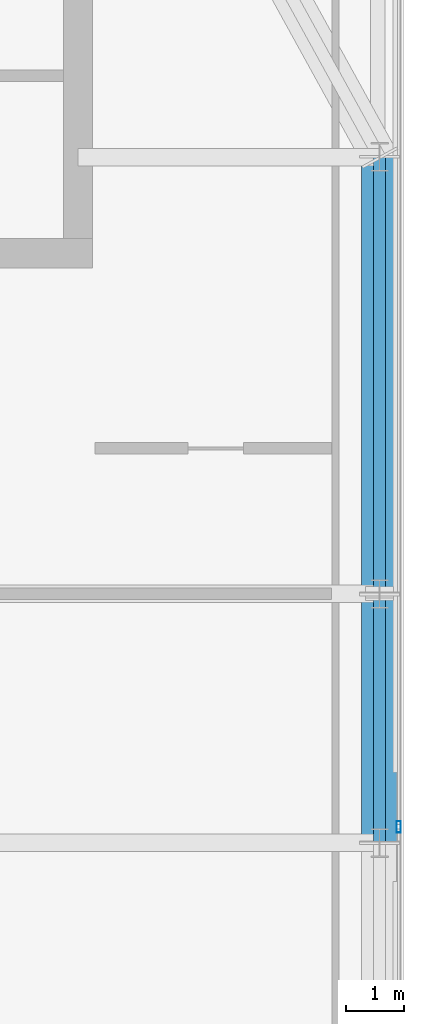
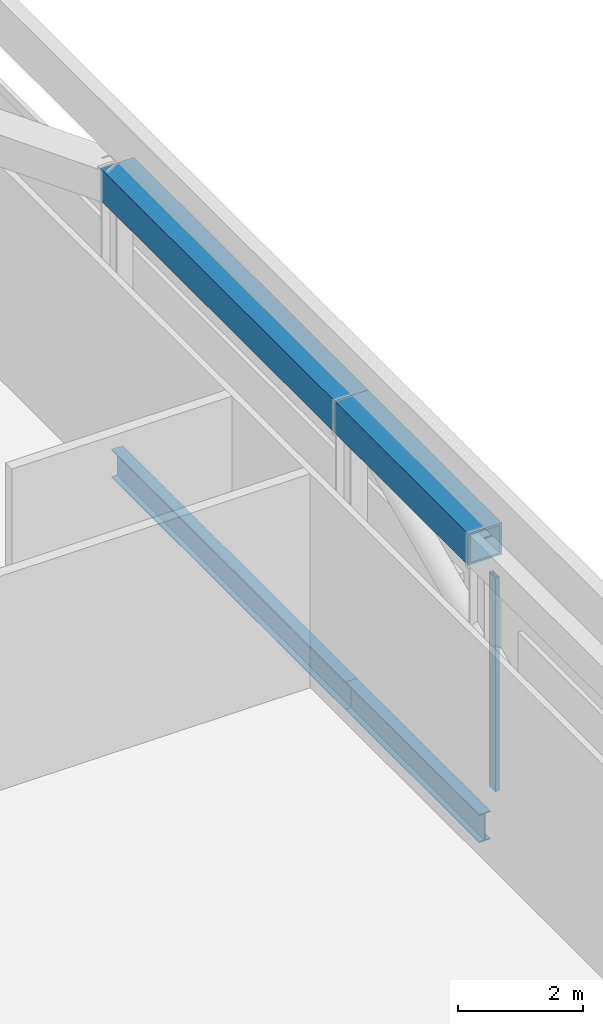
# One storey, part 14 of 24: 4 beams, 1 member, 1 element without a shape of its own.
"""IFC4 building model written with IfcOpenShell, lengths in metres."""

from ifc_helpers import new_model, si_unit, direction, frame, origin, origin_2d, place, context, subcontext, project, spatial, hollow_rectangle, i_section, extrude, material, material_profile, profile_set, type_object, element, aggregate, save


model = new_model("IFC4")

# Units and contexts
model_context = context("Model", 3, precision=1e-05, world=origin(), true_north=direction((0.0, 1.0)))
body_context = subcontext(model_context, "Body", "Model", "MODEL_VIEW")
ifc_project = project(units=[si_unit("LENGTHUNIT", "METRE"), si_unit("AREAUNIT", "SQUARE_METRE"), si_unit("VOLUMEUNIT", "CUBIC_METRE"), si_unit("PLANEANGLEUNIT", "RADIAN"), si_unit("MASSUNIT", "GRAM", prefix="KILO")], contexts=[model_context])

# Site, building, storey
site_placement = place(None, origin())
site = spatial("IfcSite", under=ifc_project, at=site_placement, CompositionType="ELEMENT")
building_placement = place(site_placement, origin())
building = spatial("IfcBuilding", under=site, at=building_placement, Name="Khoronbel Lancet Exchange", CompositionType="ELEMENT")
storey_placement = place(building_placement, frame((0.0, 0.0, 378.60009765625)))
storey = spatial("IfcBuildingStorey", under=building, at=storey_placement, Name="L96", CompositionType="ELEMENT", Elevation=378.60009765625)

# Beams
ifc_material_1 = material(Name="Steel S355", Category="steel")
ifc_material_profile_1 = material_profile(ifc_material_1, i_section(OverallWidth=0.2099609375, OverallDepth=0.550048828125, WebThickness=0.010986328125, FlangeThickness=0.01708984375, at=origin_2d()), Name="IPE 550")
ifc_profile_set_1 = profile_set([ifc_material_profile_1], Name="Steel S355")
beam_type_1 = type_object("IfcBeamType", Name="BM-BSP3", PredefinedType="SPANDREL", material=ifc_profile_set_1)
beam_1_placement = place(storey_placement, frame((61.6298828125, 31.425048828125, -0.47509765625), z_axis=(0.0, 1.0, 0.0), x_axis=(-1.0, 0.0, 0.0)))
element("IfcBeam", 1, at=beam_1_placement, inside=storey, type_object=beam_type_1, Name="Level L96 perimeter spandrel beam SP11", PredefinedType="SPANDREL", context=body_context, shape_type="SweptSolid", body=[
    extrude(i_section(OverallWidth=0.2099609375, OverallDepth=0.550048828125, WebThickness=0.010986328125, FlangeThickness=0.01708984375, at=origin_2d()), origin(), (0.0, 0.0, 1.0), 4.27490234375),
])
beam_2_placement = place(storey_placement, frame((61.6298828125, 35.699951171875, -0.47509765625), z_axis=(0.0, 1.0, 0.0), x_axis=(-1.0, 0.0, 0.0)))
element("IfcBeam", 2, at=beam_2_placement, inside=storey, type_object=beam_type_1, Name="Level L96 perimeter spandrel beam SP12", PredefinedType="SPANDREL", context=body_context, shape_type="SweptSolid", body=[
    extrude(i_section(OverallWidth=0.2099609375, OverallDepth=0.550048828125, WebThickness=0.010986328125, FlangeThickness=0.01708984375, at=origin_2d()), origin(), (0.0, 0.0, 1.0), 7.5),
])
ifc_material_profile_2 = material_profile(ifc_material_1, hollow_rectangle(XDim=0.6201171875, YDim=0.6201171875, WallThickness=0.0400390625, at=origin_2d()), Name="BOX 620x620x40")
ifc_profile_set_2 = profile_set([ifc_material_profile_2], Name="Steel S355")
beam_type_2 = type_object("IfcBeamType", Name="BM-RB1", PredefinedType="USERDEFINED", material=ifc_profile_set_2)
beam_3_placement = place(storey_placement, frame((61.6298828125, 31.425048828125, 5.0498046875), z_axis=(0.0, 1.0, 0.0), x_axis=(-1.0, 0.0, 0.0)))
element("IfcBeam", 3, at=beam_3_placement, inside=storey, type_object=beam_type_2, Name="CROWN FRAME top ring cap beam RB11", ObjectType="RING BEAM", PredefinedType="USERDEFINED", context=body_context, shape_type="SweptSolid", body=[
    extrude(hollow_rectangle(XDim=0.6201171875, YDim=0.6201171875, WallThickness=0.0400390625, at=origin_2d()), origin(), (0.0, 0.0, 1.0), 4.27490234375),
])
beam_4_placement = place(storey_placement, frame((61.6298828125, 35.699951171875, 5.0498046875), z_axis=(0.0, 1.0, 0.0), x_axis=(-1.0, 0.0, 0.0)))
element("IfcBeam", 4, at=beam_4_placement, inside=storey, type_object=beam_type_2, Name="CROWN FRAME top ring cap beam RB12", ObjectType="RING BEAM", PredefinedType="USERDEFINED", context=body_context, shape_type="SweptSolid", body=[
    extrude(hollow_rectangle(XDim=0.6201171875, YDim=0.6201171875, WallThickness=0.0400390625, at=origin_2d()), origin(), (0.0, 0.0, 1.0), 7.5),
])

# Curtain wall, member
ifc_material_2 = material(Name="Low-E Solar Control Insulating Glass", Category="glass")
curtain_wall_type = type_object("IfcCurtainWallType", Name="CW-6", PredefinedType="NOTDEFINED", material=ifc_material_2)
curtain_wall_placement = place(storey_placement, origin())
curtain_wall = element("IfcCurtainWall", 5, at=curtain_wall_placement, inside=storey, type_object=curtain_wall_type, Name="Unitised curtain wall CW-L96-E09", PredefinedType="NOTDEFINED")
ifc_material_3 = material(Name="Bronze-Anodised Aluminium 6063-T6", Category="aluminium")
ifc_material_profile_3 = material_profile(ifc_material_3, hollow_rectangle(XDim=0.074951171875, YDim=0.199951171875, WallThickness=0.0048828125, at=origin_2d()), Name="ALU MULLION 75x200")
ifc_profile_set_3 = profile_set([ifc_material_profile_3], Name="Bronze-Anodised Aluminium 6063-T6")
member_type = type_object("IfcMemberType", Name="MEM-CWM2", PredefinedType="MULLION", material=ifc_profile_set_3)
member_placement = place(storey_placement, frame((61.9599609375, 31.699951171875, 0.0), z_axis=(0.0, 0.0, 1.0), x_axis=(1.0, 0.0, 0.0)))
member = element("IfcMember", 6, at=member_placement, type_object=member_type, Name="CW6 mullion 2", PredefinedType="MULLION", context=body_context, shape_type="SweptSolid", body=[
    extrude(hollow_rectangle(XDim=0.074951171875, YDim=0.199951171875, WallThickness=0.0048828125, at=origin_2d()), origin(), (0.0, 0.0, 1.0), 4.179931640625),
])
aggregate(curtain_wall, [member])

save(model, "model.ifc")
